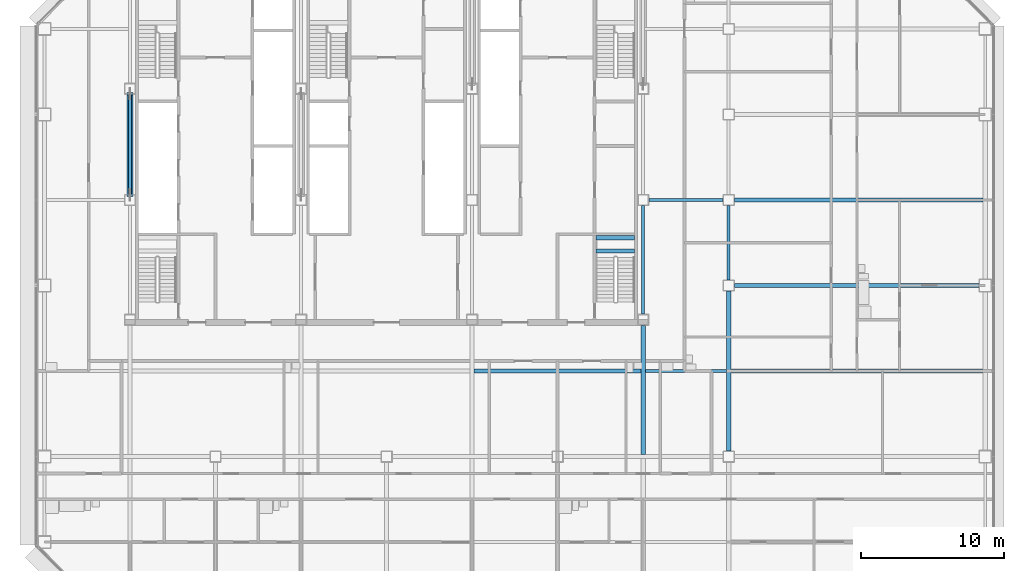
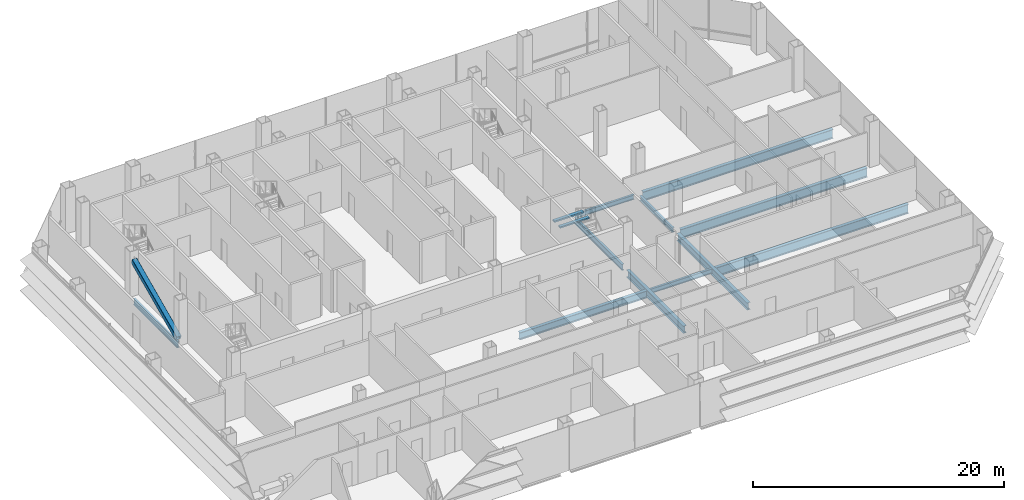
# One storey, part 10 of 27: 13 beams, 1 member.
"""IFC4 building model written with IfcOpenShell, lengths in metres."""

from ifc_helpers import new_model, si_unit, direction, frame, origin, origin_2d, place, context, subcontext, project, spatial, rectangle, hollow_rectangle, i_section, extrude, material, material_profile, profile_set, type_object, element, save


model = new_model("IFC4")

# Units and contexts
model_context = context("Model", 3, precision=1e-05, world=origin(), true_north=direction((0.0, 1.0)))
body_context = subcontext(model_context, "Body", "Model", "MODEL_VIEW")
ifc_project = project(units=[si_unit("LENGTHUNIT", "METRE"), si_unit("AREAUNIT", "SQUARE_METRE"), si_unit("VOLUMEUNIT", "CUBIC_METRE"), si_unit("PLANEANGLEUNIT", "RADIAN"), si_unit("MASSUNIT", "GRAM", prefix="KILO")], contexts=[model_context])

# Site, building, storey
site_placement = place(None, origin())
site = spatial("IfcSite", under=ifc_project, at=site_placement, CompositionType="ELEMENT")
building_placement = place(site_placement, origin())
building = spatial("IfcBuilding", under=site, at=building_placement, Name="Sorahane Residences", CompositionType="ELEMENT")
storey_placement = place(building_placement, frame((0.0, 0.0, 85.800048828125)))
storey = spatial("IfcBuildingStorey", under=building, at=storey_placement, Name="L18", CompositionType="ELEMENT", Elevation=85.800048828125)

# Member
ifc_material_1 = material(Name="Steel Q355B", Category="steel")
ifc_material_profile_1 = material_profile(ifc_material_1, hollow_rectangle(XDim=0.449951171875, YDim=0.449951171875, WallThickness=0.02197265625, InnerFilletRadius=0.010986328125, OuterFilletRadius=0.032958984375, at=origin_2d()), Name="RHS 450x450x22")
ifc_profile_set_1 = profile_set([ifc_material_profile_1], Name="Steel Q355B")
member_type = type_object("IfcMemberType", Name="Core brace RHS 450x450x22 Q355B", PredefinedType="BRACE", material=ifc_profile_set_1)
member_placement = place(storey_placement, frame((6.0, 30.343994140625, 0.19921875), z_axis=(0.0, 0.909463007615, 0.41578484554), x_axis=(-1.0, 0.0, 0.0)))
element("IfcMember", 1, at=member_placement, inside=storey, type_object=member_type, Name="Core brace L18 x6-2", PredefinedType="BRACE", context=body_context, shape_type="SweptSolid", body=[
    extrude(hollow_rectangle(XDim=0.449951171875, YDim=0.449951171875, WallThickness=0.02197265625, InnerFilletRadius=0.010986328125, OuterFilletRadius=0.032958984375, at=origin_2d()), origin(), (0.0, 0.0, 1.0), 7.820068359375),
])

# Beams
ifc_material_2 = material(Name="Concrete C40", Category="concrete")
ifc_material_profile_2 = material_profile(ifc_material_2, rectangle(XDim=0.300048828125, YDim=0.139892578125, at=origin_2d()), Name="300x140")
ifc_profile_set_2 = profile_set([ifc_material_profile_2], Name="Concrete C40")
beam_type_1 = type_object("IfcBeamType", Name="RC landing beam 300 x 140 Concrete C40", PredefinedType="BEAM", material=ifc_profile_set_2)
for number, where, z_axis, x_axis, name in (
    (2, (38.699951171875, 26.419921875, 1.929931640625), (1.0, 0.0, 0.0), (0.0, 1.0, 0.0), "Landing beam"),
    (3, (38.699951171875, 27.35009765625, 1.929931640625), (1.0, 0.0, 0.0), (0.0, 1.0, 0.0), "Landing beam"),
):
    element("IfcBeam", number, at=place(storey_placement, frame(where, z_axis=z_axis, x_axis=x_axis)), inside=storey, type_object=beam_type_1, Name=name, PredefinedType="BEAM", context=body_context, shape_type="SweptSolid", body=[
        extrude(rectangle(XDim=0.300048828125, YDim=0.139892578125, at=origin_2d()), origin(), (0.0, 0.0, 1.0), 2.699951171875),
    ])
ifc_material_3 = material(Name="Steel Q355B", Category="steel")
ifc_material_profile_3 = material_profile(ifc_material_3, i_section(OverallWidth=0.199951171875, OverallDepth=0.449951171875, WebThickness=0.009033203125, FlangeThickness=0.013916015625, FilletRadius=0.02001953125, at=origin_2d()), Name="HN 450x200x9x14")
ifc_profile_set_3 = profile_set([ifc_material_profile_3], Name="Steel Q355B")
beam_type_2 = type_object("IfcBeamType", Name="Steel floor beam HN 450x200x9x14 Q355B", PredefinedType="BEAM", material=ifc_profile_set_3)
beam_1_placement = place(storey_placement, frame((48.0, 24.39990234375, -0.405029296875), z_axis=(0.0, 1.0, 0.0), x_axis=(-1.0, 0.0, 0.0)))
element("IfcBeam", 4, at=beam_1_placement, inside=storey, type_object=beam_type_2, Name="Beam L18 053", PredefinedType="BEAM", context=body_context, shape_type="SweptSolid", body=[
    extrude(i_section(OverallWidth=0.199951171875, OverallDepth=0.449951171875, WebThickness=0.009033203125, FlangeThickness=0.013916015625, FilletRadius=0.02001953125, at=origin_2d()), origin(), (0.0, 0.0, 1.0), 5.2001953125),
])
beam_2_placement = place(storey_placement, frame((42.14990234375, 18.0, -0.405029296875), z_axis=(1.0, 0.0, 0.0), x_axis=(0.0, 1.0, 0.0)))
element("IfcBeam", 5, at=beam_2_placement, inside=storey, type_object=beam_type_2, Name="Beam L18 074", PredefinedType="BEAM", context=body_context, shape_type="SweptSolid", body=[
    extrude(i_section(OverallWidth=0.199951171875, OverallDepth=0.449951171875, WebThickness=0.009033203125, FlangeThickness=0.013916015625, FilletRadius=0.02001953125, at=origin_2d()), origin(), (0.0, 0.0, 1.0), 5.7001953125),
])
beam_3_placement = place(storey_placement, frame((42.39990234375, 30.0, -0.405029296875), z_axis=(1.0, 0.0, 0.0), x_axis=(0.0, 1.0, 0.0)))
element("IfcBeam", 6, at=beam_3_placement, inside=storey, type_object=beam_type_2, Name="Beam L18 077", PredefinedType="BEAM", context=body_context, shape_type="SweptSolid", body=[
    extrude(i_section(OverallWidth=0.199951171875, OverallDepth=0.449951171875, WebThickness=0.009033203125, FlangeThickness=0.013916015625, FilletRadius=0.02001953125, at=origin_2d()), origin(), (0.0, 0.0, 1.0), 5.2001953125),
])
ifc_material_4 = material(Name="Steel Q355B", Category="steel")
ifc_material_profile_4 = material_profile(ifc_material_4, i_section(OverallWidth=0.199951171875, OverallDepth=0.60009765625, WebThickness=0.010986328125, FlangeThickness=0.01708984375, FilletRadius=0.02392578125, at=origin_2d()), Name="HN 600x200x11x17")
ifc_profile_set_4 = profile_set([ifc_material_profile_4], Name="Steel Q355B")
beam_type_3 = type_object("IfcBeamType", Name="Steel floor beam HN 600x200x11x17 Q355B", PredefinedType="BEAM", material=ifc_profile_set_4)
beam_4_placement = place(storey_placement, frame((6.0, 30.39990234375, -0.47998046875), z_axis=(0.0, 1.0, 0.0), x_axis=(-1.0, 0.0, 0.0)))
element("IfcBeam", 7, at=beam_4_placement, inside=storey, type_object=beam_type_3, Name="Beam L18 024", PredefinedType="BEAM", context=body_context, shape_type="SweptSolid", body=[
    extrude(i_section(OverallWidth=0.199951171875, OverallDepth=0.60009765625, WebThickness=0.010986328125, FlangeThickness=0.01708984375, FilletRadius=0.02392578125, at=origin_2d()), origin(), (0.0, 0.0, 1.0), 7.0),
])
beam_5_placement = place(storey_placement, frame((42.0, 22.0, -0.47998046875), z_axis=(0.0, 1.0, 0.0), x_axis=(-1.0, 0.0, 0.0)))
element("IfcBeam", 8, at=beam_5_placement, inside=storey, type_object=beam_type_3, Name="Beam L18 047", PredefinedType="BEAM", context=body_context, shape_type="SweptSolid", body=[
    extrude(i_section(OverallWidth=0.199951171875, OverallDepth=0.60009765625, WebThickness=0.010986328125, FlangeThickness=0.01708984375, FilletRadius=0.02392578125, at=origin_2d()), origin(), (0.0, 0.0, 1.0), 7.60009765625),
])
ifc_material_5 = material(Name="Steel Q355B", Category="steel")
ifc_material_profile_5 = material_profile(ifc_material_5, i_section(OverallWidth=0.300048828125, OverallDepth=0.699951171875, WebThickness=0.012939453125, FlangeThickness=0.02392578125, FilletRadius=0.028076171875, at=origin_2d()), Name="HN 700x300x13x24")
ifc_profile_set_5 = profile_set([ifc_material_profile_5], Name="Steel Q355B")
beam_type_4 = type_object("IfcBeamType", Name="Steel floor beam HN 700x300x13x24 Q355B", PredefinedType="BEAM", material=ifc_profile_set_5)
beam_6_placement = place(storey_placement, frame((42.0, 12.14990234375, -0.530029296875), z_axis=(0.0, 1.0, 0.0), x_axis=(-1.0, 0.0, 0.0)))
element("IfcBeam", 9, at=beam_6_placement, inside=storey, type_object=beam_type_4, Name="Beam L18 046", PredefinedType="BEAM", context=body_context, shape_type="SweptSolid", body=[
    extrude(i_section(OverallWidth=0.300048828125, OverallDepth=0.699951171875, WebThickness=0.012939453125, FlangeThickness=0.02392578125, FilletRadius=0.028076171875, at=origin_2d()), origin(), (0.0, 0.0, 1.0), 9.050048828125),
])
beam_7_placement = place(storey_placement, frame((48.0, 12.39990234375, -0.530029296875), z_axis=(0.0, 1.0, 0.0), x_axis=(-1.0, 0.0, 0.0)))
element("IfcBeam", 10, at=beam_7_placement, inside=storey, type_object=beam_type_4, Name="Beam L18 052", PredefinedType="BEAM", context=body_context, shape_type="SweptSolid", body=[
    extrude(i_section(OverallWidth=0.300048828125, OverallDepth=0.699951171875, WebThickness=0.012939453125, FlangeThickness=0.02392578125, FilletRadius=0.028076171875, at=origin_2d()), origin(), (0.0, 0.0, 1.0), 11.2001953125),
])
beam_8_placement = place(storey_placement, frame((30.14990234375, 18.0, -0.530029296875), z_axis=(1.0, 0.0, 0.0), x_axis=(0.0, 1.0, 0.0)))
element("IfcBeam", 11, at=beam_8_placement, inside=storey, type_object=beam_type_4, Name="Beam L18 073", PredefinedType="BEAM", context=body_context, shape_type="SweptSolid", body=[
    extrude(i_section(OverallWidth=0.300048828125, OverallDepth=0.699951171875, WebThickness=0.012939453125, FlangeThickness=0.02392578125, FilletRadius=0.028076171875, at=origin_2d()), origin(), (0.0, 0.0, 1.0), 11.7001953125),
])
ifc_material_6 = material(Name="Steel Q355B", Category="steel")
ifc_material_profile_6 = material_profile(ifc_material_6, i_section(OverallWidth=0.300048828125, OverallDepth=0.89990234375, WebThickness=0.01611328125, FlangeThickness=0.028076171875, FilletRadius=0.028076171875, at=origin_2d()), Name="HN 900x300x16x28")
ifc_profile_set_6 = profile_set([ifc_material_profile_6], Name="Steel Q355B")
beam_type_5 = type_object("IfcBeamType", Name="Steel floor beam HN 900x300x16x28 Q355B", PredefinedType="BEAM", material=ifc_profile_set_6)
beam_9_placement = place(storey_placement, frame((48.39990234375, 24.0, -0.630126953125), z_axis=(1.0, 0.0, 0.0), x_axis=(0.0, 1.0, 0.0)))
element("IfcBeam", 12, at=beam_9_placement, inside=storey, type_object=beam_type_5, Name="Beam L18 010", PredefinedType="BEAM", context=body_context, shape_type="SweptSolid", body=[
    extrude(i_section(OverallWidth=0.300048828125, OverallDepth=0.89990234375, WebThickness=0.01611328125, FlangeThickness=0.028076171875, FilletRadius=0.028076171875, at=origin_2d()), origin(), (0.0, 0.0, 1.0), 17.150146484375),
])
beam_10_placement = place(storey_placement, frame((48.14990234375, 18.0, -0.630126953125), z_axis=(1.0, 0.0, 0.0), x_axis=(0.0, 1.0, 0.0)))
element("IfcBeam", 13, at=beam_10_placement, inside=storey, type_object=beam_type_5, Name="Beam L18 075", PredefinedType="BEAM", context=body_context, shape_type="SweptSolid", body=[
    extrude(i_section(OverallWidth=0.300048828125, OverallDepth=0.89990234375, WebThickness=0.01611328125, FlangeThickness=0.028076171875, FilletRadius=0.028076171875, at=origin_2d()), origin(), (0.0, 0.0, 1.0), 17.7001953125),
])
beam_11_placement = place(storey_placement, frame((48.39990234375, 30.0, -0.630126953125), z_axis=(1.0, 0.0, 0.0), x_axis=(0.0, 1.0, 0.0)))
element("IfcBeam", 14, at=beam_11_placement, inside=storey, type_object=beam_type_5, Name="Beam L18 078", PredefinedType="BEAM", context=body_context, shape_type="SweptSolid", body=[
    extrude(i_section(OverallWidth=0.300048828125, OverallDepth=0.89990234375, WebThickness=0.01611328125, FlangeThickness=0.028076171875, FilletRadius=0.028076171875, at=origin_2d()), origin(), (0.0, 0.0, 1.0), 17.4501953125),
])

save(model, "model.ifc")
